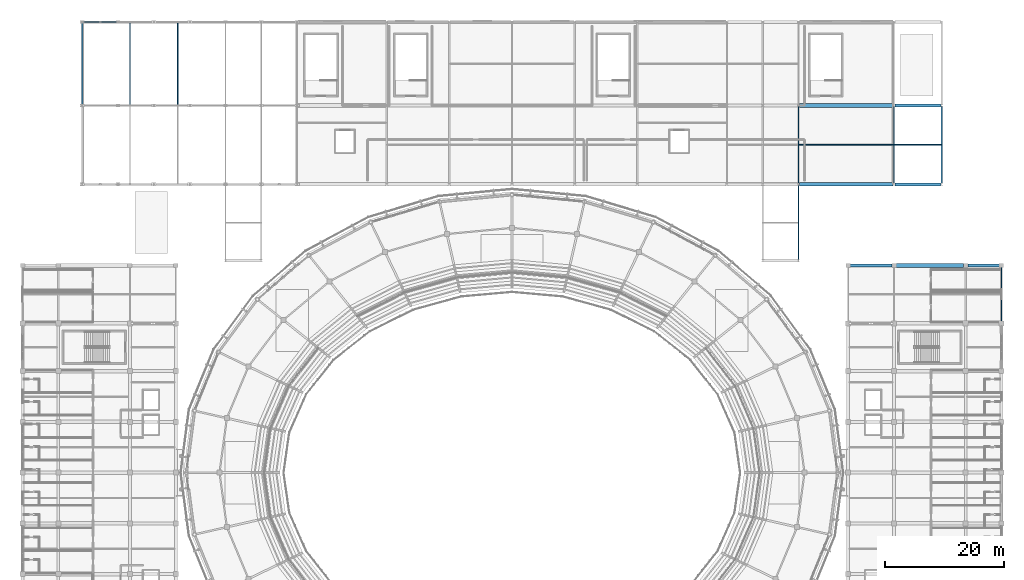
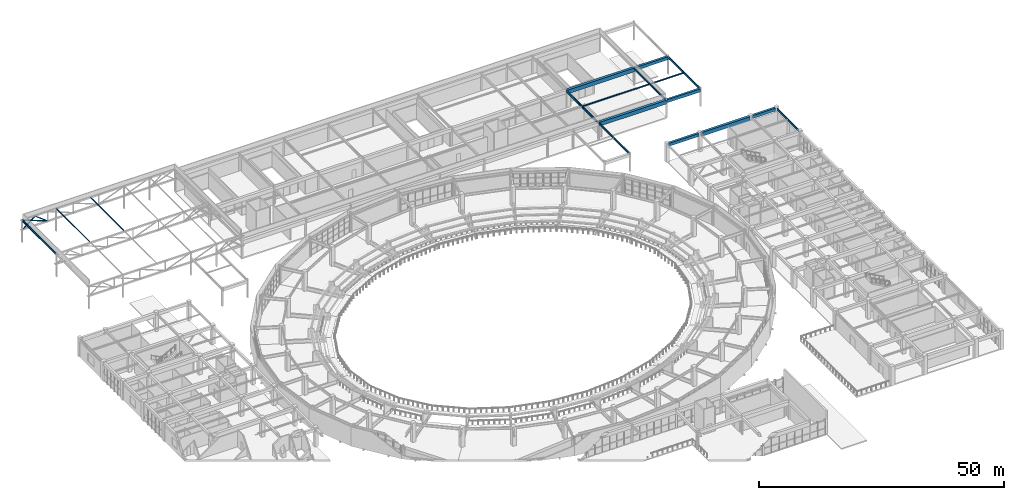
# One storey, part 72 of 122: 15 beams, 5 members.
"""IFC4 building model written with IfcOpenShell, lengths in metres."""

from ifc_helpers import new_model, si_unit, direction, frame, origin, origin_2d, place, context, subcontext, project, spatial, rectangle, hollow_rectangle, i_section, extrude, material, material_profile, profile_set, type_object, element, save


model = new_model("IFC4")

# Units and contexts
model_context = context("Model", 3, precision=1e-05, world=origin(), true_north=direction((0.0, 1.0)))
body_context = subcontext(model_context, "Body", "Model", "MODEL_VIEW")
ifc_project = project(units=[si_unit("LENGTHUNIT", "METRE"), si_unit("AREAUNIT", "SQUARE_METRE"), si_unit("VOLUMEUNIT", "CUBIC_METRE"), si_unit("PLANEANGLEUNIT", "RADIAN"), si_unit("MASSUNIT", "GRAM", prefix="KILO")], contexts=[model_context])

# Site, building, storey
site_placement = place(None, origin())
site = spatial("IfcSite", under=ifc_project, at=site_placement, CompositionType="ELEMENT")
building_placement = place(site_placement, origin())
building = spatial("IfcBuilding", under=site, at=building_placement, Name="Cuetzalor Civic Arena", CompositionType="ELEMENT")
storey_placement = place(building_placement, frame((0.0, 0.0, 16.199951171875)))
storey = spatial("IfcBuildingStorey", under=building, at=storey_placement, Name="L03", CompositionType="ELEMENT", Elevation=16.199951171875)

# Beams
ifc_material_1 = material(Name="Concrete C40/50", Category="concrete")
ifc_material_profile_1 = material_profile(ifc_material_1, rectangle(XDim=0.5, YDim=0.75, at=origin_2d()), Name="RC 500x750")
ifc_profile_set_1 = profile_set([ifc_material_profile_1], Name="Concrete C40/50")
beam_type_1 = type_object("IfcBeamType", Name="ConcreteFrameBeam_500x750", PredefinedType="BEAM", material=ifc_profile_set_1)
beam_1_placement = place(storey_placement, frame((56.6650390625, 34.699951171875, 4.14501953125), z_axis=(1.0, 0.0, 0.0), x_axis=(0.0, 1.0, 0.0)))
element("IfcBeam", 1, at=beam_1_placement, inside=storey, type_object=beam_type_1, Name="Frame Girder V4E-L03-X0986", PredefinedType="BEAM", context=body_context, shape_type="SweptSolid", body=[
    extrude(rectangle(XDim=0.5, YDim=0.75, at=origin_2d()), origin(), (0.0, 0.0, 1.0), 6.969970703125),
])
beam_2_placement = place(storey_placement, frame((76.364990234375, 34.699951171875, 4.14501953125), z_axis=(1.0, 0.0, 0.0), x_axis=(0.0, 1.0, 0.0)))
element("IfcBeam", 2, at=beam_2_placement, inside=storey, type_object=beam_type_1, Name="Frame Girder V4E-L03-X0988", PredefinedType="BEAM", context=body_context, shape_type="SweptSolid", body=[
    extrude(rectangle(XDim=0.5, YDim=0.75, at=origin_2d()), origin(), (0.0, 0.0, 1.0), 5.27001953125),
])
for number, where, z_axis, x_axis, name in (
    (3, (64.142578125, 48.300048828125, 4.125), (1.0, 0.0, 0.0), (0.0, 1.0, 0.0), "Frame Girder V5-L03-X1040"),
    (4, (64.142578125, 61.5, 4.125), (1.0, 0.0, 0.0), (0.0, 1.0, 0.0), "Frame Girder V5-L03-X1050"),
):
    element("IfcBeam", number, at=place(storey_placement, frame(where, z_axis=z_axis, x_axis=x_axis)), inside=storey, type_object=beam_type_1, Name=name, PredefinedType="BEAM", context=body_context, shape_type="SweptSolid", body=[
        extrude(rectangle(XDim=0.5, YDim=0.75, at=origin_2d()), origin(), (0.0, 0.0, 1.0), 7.71484375),
    ])
ifc_material_2 = material(Name="Concrete C40/50", Category="concrete")
ifc_material_profile_2 = material_profile(ifc_material_2, rectangle(XDim=0.60009765625, YDim=0.949951171875, at=origin_2d()), Name="RC 600x950")
ifc_profile_set_2 = profile_set([ifc_material_profile_2], Name="Concrete C40/50")
beam_type_2 = type_object("IfcBeamType", Name="ConcreteFrameBeam_600x950", PredefinedType="BEAM", material=ifc_profile_set_2)
beam_3_placement = place(storey_placement, frame((64.364990234375, 34.699951171875, 4.045166015625), z_axis=(1.0, 0.0, 0.0), x_axis=(0.0, 1.0, 0.0)))
element("IfcBeam", 5, at=beam_3_placement, inside=storey, type_object=beam_type_2, Name="Frame Girder V4E-L03-X0987", PredefinedType="BEAM", context=body_context, shape_type="SweptSolid", body=[
    extrude(rectangle(XDim=0.60009765625, YDim=0.949951171875, at=origin_2d()), origin(), (0.0, 0.0, 1.0), 11.27001953125),
])
for number, where, z_axis, x_axis, name in (
    (6, (48.142578125, 48.300048828125, 4.025146484375), (1.0, 0.0, 0.0), (0.0, 1.0, 0.0), "Frame Girder V5-L03-X1039"),
    (7, (48.142578125, 61.5, 4.025146484375), (1.0, 0.0, 0.0), (0.0, 1.0, 0.0), "Frame Girder V5-L03-X1049"),
):
    element("IfcBeam", number, at=place(storey_placement, frame(where, z_axis=z_axis, x_axis=x_axis)), inside=storey, type_object=beam_type_2, Name=name, PredefinedType="BEAM", context=body_context, shape_type="SweptSolid", body=[
        extrude(rectangle(XDim=0.60009765625, YDim=0.949951171875, at=origin_2d()), origin(), (0.0, 0.0, 1.0), 15.71484375),
    ])

# Members
ifc_material_3 = material(Name="Steel S355", Category="steel")
ifc_material_profile_3 = material_profile(ifc_material_3, hollow_rectangle(XDim=0.199951171875, YDim=0.199951171875, WallThickness=0.010009765625, at=origin_2d()), Name="RHS 200x200x10")
ifc_profile_set_3 = profile_set([ifc_material_profile_3], Name="Steel S355")
member_type_1 = type_object("IfcMemberType", Name="PrattTrussWeb_RHS200", PredefinedType="STRUT", material=ifc_profile_set_3)
member_1_placement = place(storey_placement, frame((-71.800048828125, 75.5, 5.5), z_axis=(0.930756425373, 0.0, -0.365639818164), x_axis=(0.0, 1.0, 0.0)))
element("IfcMember", 8, at=member_1_placement, inside=storey, type_object=member_type_1, Name="Practice Court Pratt Diagonal T3-1", PredefinedType="STRUT", context=body_context, shape_type="SweptSolid", body=[
    extrude(hollow_rectangle(XDim=0.199951171875, YDim=0.199951171875, WallThickness=0.010009765625, at=origin_2d()), origin(), (0.0, 0.0, 1.0), 6.0166015625),
])
member_2_placement = place(storey_placement, frame((-71.75, 75.5, 3.300048828125), z_axis=(0.780875572801, 0.0, 0.624686593263), x_axis=(0.0, 1.0, 0.0)))
element("IfcMember", 9, at=member_2_placement, inside=storey, type_object=member_type_1, Name="Practice Court Truss End Raking Strut T3-1", PredefinedType="STRUT", context=body_context, shape_type="SweptSolid", body=[
    extrude(hollow_rectangle(XDim=0.199951171875, YDim=0.199951171875, WallThickness=0.010009765625, at=origin_2d()), origin(), (0.0, 0.0, 1.0), 3.521728515625),
])
member_3_placement = place(storey_placement, frame((-69.0, 75.5, 5.5), z_axis=(0.796687929917, 0.0, -0.604390885375), x_axis=(0.0, 1.0, 0.0)))
element("IfcMember", 10, at=member_3_placement, inside=storey, type_object=member_type_1, Name="Practice Court Truss End Raking Strut T3-2", PredefinedType="STRUT", context=body_context, shape_type="SweptSolid", body=[
    extrude(hollow_rectangle(XDim=0.199951171875, YDim=0.199951171875, WallThickness=0.010009765625, at=origin_2d()), origin(), (0.0, 0.0, 1.0), 3.639892578125),
])
ifc_material_4 = material(Name="Steel S355", Category="steel")
ifc_material_profile_4 = material_profile(ifc_material_4, i_section(OverallWidth=0.14697265625, OverallDepth=0.261962890625, WebThickness=0.00634765625, FlangeThickness=0.01123046875, at=origin_2d()), Name="W250x39")
ifc_profile_set_4 = profile_set([ifc_material_profile_4], Name="Steel S355")
member_type_2 = type_object("IfcMemberType", Name="RoofDeckPurlin_W250", PredefinedType="PURLIN", material=ifc_profile_set_4)
for number, where, z_axis, x_axis, name in (
    (11, (-64.0, 61.679931640625, 5.6689453125), (0.0, 1.0, 0.0), (-1.0, 0.0, 0.0), "Practice Court Monitor Roof Purlin 1-2"),
    (12, (-56.0, 61.679931640625, 5.6689453125), (0.0, 1.0, 0.0), (-1.0, 0.0, 0.0), "Practice Court Monitor Roof Purlin 2-2"),
):
    element("IfcMember", number, at=place(storey_placement, frame(where, z_axis=z_axis, x_axis=x_axis)), inside=storey, type_object=member_type_2, Name=name, PredefinedType="PURLIN", context=body_context, shape_type="SweptSolid", body=[
        extrude(i_section(OverallWidth=0.14697265625, OverallDepth=0.261962890625, WebThickness=0.00634765625, FlangeThickness=0.01123046875, at=origin_2d()), origin(), (0.0, 0.0, 1.0), 13.64013671875),
    ])

# Beams
ifc_material_5 = material(Name="Steel S355", Category="steel")
ifc_material_profile_5 = material_profile(ifc_material_5, i_section(OverallWidth=0.166015625, OverallDepth=0.31298828125, WebThickness=0.006591796875, FlangeThickness=0.01123046875, at=origin_2d()), Name="W310x45")
ifc_profile_set_5 = profile_set([ifc_material_profile_5], Name="Steel S355")
beam_type_3 = type_object("IfcBeamType", Name="SecondaryRoofJoist_W310", PredefinedType="JOIST", material=ifc_profile_set_5)
beam_4_placement = place(storey_placement, frame((48.096435546875, 54.89990234375, 4.343505859375), z_axis=(1.0, 0.0, 0.0), x_axis=(0.0, 1.0, 0.0)))
element("IfcBeam", 13, at=beam_4_placement, inside=storey, type_object=beam_type_3, Name="Secondary Floor Joist V5-L03-0334", PredefinedType="JOIST", context=body_context, shape_type="SweptSolid", body=[
    extrude(i_section(OverallWidth=0.166015625, OverallDepth=0.31298828125, WebThickness=0.006591796875, FlangeThickness=0.01123046875, at=origin_2d()), origin(), (0.0, 0.0, 1.0), 15.80712890625),
])
beam_5_placement = place(storey_placement, frame((64.096435546875, 54.89990234375, 4.343505859375), z_axis=(1.0, 0.0, 0.0), x_axis=(0.0, 1.0, 0.0)))
element("IfcBeam", 14, at=beam_5_placement, inside=storey, type_object=beam_type_3, Name="Secondary Floor Joist V5-L03-0335", PredefinedType="JOIST", context=body_context, shape_type="SweptSolid", body=[
    extrude(i_section(OverallWidth=0.166015625, OverallDepth=0.31298828125, WebThickness=0.006591796875, FlangeThickness=0.01123046875, at=origin_2d()), origin(), (0.0, 0.0, 1.0), 7.80712890625),
])
ifc_material_6 = material(Name="Steel S355", Category="steel")
ifc_material_profile_6 = material_profile(ifc_material_6, i_section(OverallWidth=0.208984375, OverallDepth=0.532958984375, WebThickness=0.01025390625, FlangeThickness=0.015625, at=origin_2d()), Name="W530x92")
ifc_profile_set_6 = profile_set([ifc_material_profile_6], Name="Steel S355")
beam_type_4 = type_object("IfcBeamType", Name="SteelCollarGirder_W530", PredefinedType="BEAM", material=ifc_profile_set_6)
beam_6_placement = place(storey_placement, frame((82.0, 25.4150390625, 4.253662109375), z_axis=(0.0, 1.0, 0.0), x_axis=(-1.0, 0.0, 0.0)))
element("IfcBeam", 15, at=beam_6_placement, inside=storey, type_object=beam_type_4, Name="Frame Girder V4E-L03-Y1028", PredefinedType="BEAM", context=body_context, shape_type="SweptSolid", body=[
    extrude(i_section(OverallWidth=0.208984375, OverallDepth=0.532958984375, WebThickness=0.01025390625, FlangeThickness=0.015625, at=origin_2d()), origin(), (0.0, 0.0, 1.0), 8.919921875),
])
beam_7_placement = place(storey_placement, frame((-72.0, 61.64404296875, 5.533447265625), z_axis=(0.0, 1.0, 0.0), x_axis=(-1.0, 0.0, 0.0)))
element("IfcBeam", 16, at=beam_7_placement, inside=storey, type_object=beam_type_4, Name="Frame Girder V5-L03-Y1062", PredefinedType="BEAM", context=body_context, shape_type="SweptSolid", body=[
    extrude(i_section(OverallWidth=0.208984375, OverallDepth=0.532958984375, WebThickness=0.01025390625, FlangeThickness=0.015625, at=origin_2d()), origin(), (0.0, 0.0, 1.0), 13.7119140625),
])
beam_8_placement = place(storey_placement, frame((48.0, 35.64404296875, 4.233642578125), z_axis=(0.0, 1.0, 0.0), x_axis=(-1.0, 0.0, 0.0)))
element("IfcBeam", 17, at=beam_8_placement, inside=storey, type_object=beam_type_4, Name="Frame Girder V5-L03-Y1082", PredefinedType="BEAM", context=body_context, shape_type="SweptSolid", body=[
    extrude(i_section(OverallWidth=0.208984375, OverallDepth=0.532958984375, WebThickness=0.01025390625, FlangeThickness=0.015625, at=origin_2d()), origin(), (0.0, 0.0, 1.0), 12.511962890625),
])
for number, where, z_axis, x_axis, name in (
    (18, (48.0, 48.444091796875, 4.233642578125), (0.0, 1.0, 0.0), (-1.0, 0.0, 0.0), "Frame Girder V5-L03-Y1083"),
    (19, (64.0, 48.444091796875, 4.233642578125), (0.0, 1.0, 0.0), (-1.0, 0.0, 0.0), "Frame Girder V5-L03-Y1085"),
    (20, (72.0, 48.444091796875, 4.233642578125), (0.0, 1.0, 0.0), (-1.0, 0.0, 0.0), "Frame Girder V5-L03-Y1087"),
):
    element("IfcBeam", number, at=place(storey_placement, frame(where, z_axis=z_axis, x_axis=x_axis)), inside=storey, type_object=beam_type_4, Name=name, PredefinedType="BEAM", context=body_context, shape_type="SweptSolid", body=[
        extrude(i_section(OverallWidth=0.208984375, OverallDepth=0.532958984375, WebThickness=0.01025390625, FlangeThickness=0.015625, at=origin_2d()), origin(), (0.0, 0.0, 1.0), 12.911865234375),
    ])

save(model, "model.ifc")
